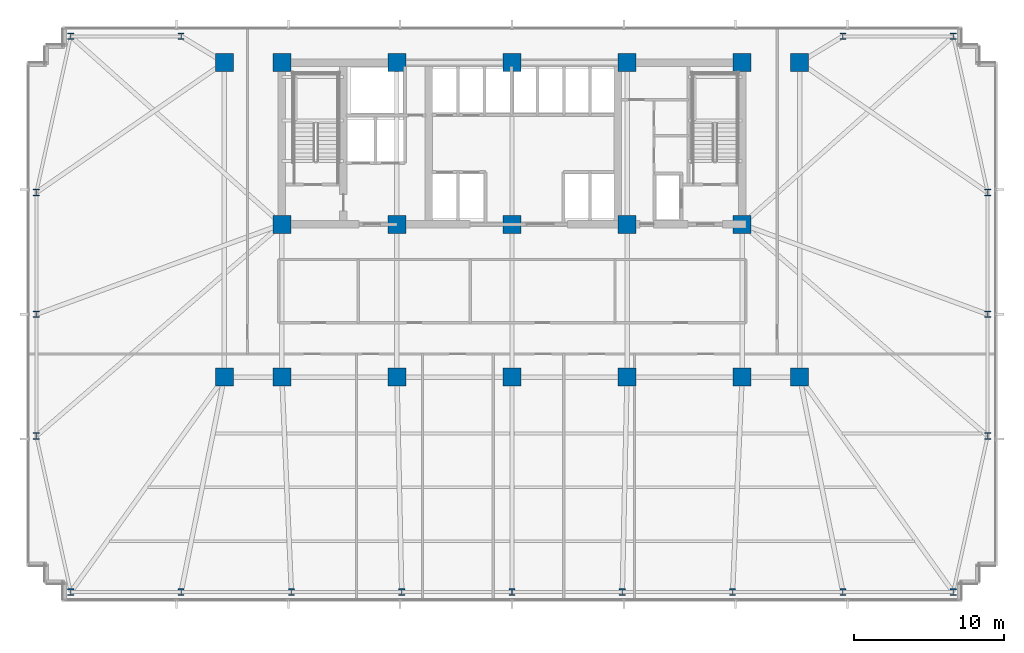
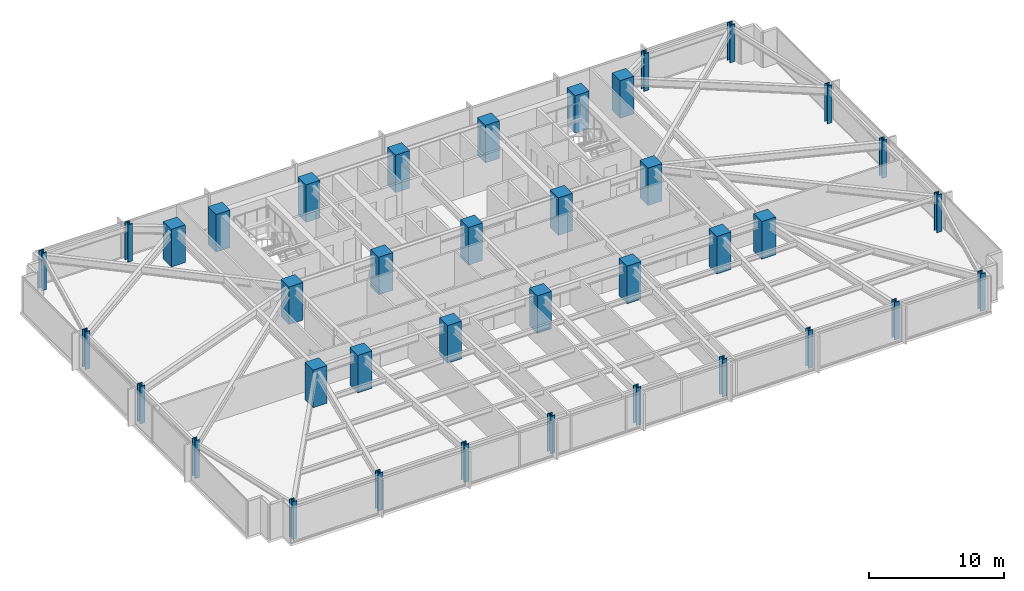
# One storey, part 1 of 32: 38 columns.
"""IFC4 building model written with IfcOpenShell, lengths in metres."""

import ifcopenshell
import ifcopenshell.guid

model = None  # the IFC model being written
_history = None  # IfcOwnerHistory: only IFC2X3 demands one
_inside = {}  # id of a spatial element -> (the spatial element, [elements in it])
_under = {}  # id of a project, library or spatial element -> (it, [spatial elements below it])
_declared = {}  # id of a project -> (the project, [libraries it declares])
_typed = {}  # id of a type object -> (the type object, [elements of that type])
_made_of = {}  # id of a material, layer set ... -> (it, [elements and type objects made of it])


def new_model(schema):
    """Start an empty IFC model of exactly this schema.

    Asked for "IFC4X3", IfcOpenShell would pick the latest addendum, in which some entities
    have other attributes; the version numbers below select the first issue.
    IFC2X3 requires an IfcOwnerHistory on every rooted entity: one is made here for all.
    """
    global model, _history
    if schema == "IFC4X3":
        model = ifcopenshell.file(schema_version=(4, 3, 0, 0))
    else:
        model = ifcopenshell.file(schema=schema)
    _inside.clear()
    _under.clear()
    _declared.clear()
    _typed.clear()
    _made_of.clear()
    _history = None
    if model.schema == "IFC2X3":
        org = make("IfcOrganization", Name="unknown")
        user = make(
            "IfcPersonAndOrganization",
            ThePerson=make("IfcPerson", FamilyName="unknown"),
            TheOrganization=org,
        )
        app = make(
            "IfcApplication",
            ApplicationDeveloper=org,
            Version="unknown",
            ApplicationFullName="unknown",
            ApplicationIdentifier="unknown",
        )
        _history = make(
            "IfcOwnerHistory",
            OwningUser=user,
            OwningApplication=app,
            ChangeAction="ADDED",
            CreationDate=0,
        )
    return model


def make(cls, **values):
    """One entity of the class cls with the attributes given. An attribute that is None is left unset."""
    return model.create_entity(
        cls, **{name: value for name, value in values.items() if value is not None}
    )


def rooted(cls, **values):
    """An entity with a GlobalId (a new one), such as an element, a storey or a relation."""
    return make(cls, GlobalId=ifcopenshell.guid.new(), OwnerHistory=_history, **values)


def si_unit(unit_type, name, prefix=None):
    """IfcSIUnit, for example si_unit("LENGTHUNIT", "METRE", prefix="MILLI")."""
    return make("IfcSIUnit", UnitType=unit_type, Prefix=prefix, Name=name)


def assignment(units):
    """IfcUnitAssignment: the units of a project."""
    return None if units is None else make("IfcUnitAssignment", Units=units)


def point(xyz):
    """IfcCartesianPoint."""
    return None if xyz is None else make("IfcCartesianPoint", Coordinates=xyz)


def direction(xyz):
    """IfcDirection."""
    return None if xyz is None else make("IfcDirection", DirectionRatios=xyz)


def frame(location, z_axis=None, x_axis=None):
    """IfcAxis2Placement3D, a coordinate frame: its origin and axes. An axis left out is left unset."""
    return make(
        "IfcAxis2Placement3D",
        Location=point(location),
        Axis=direction(z_axis),
        RefDirection=direction(x_axis),
    )


def frame_2d(location, x_axis=None):
    """IfcAxis2Placement2D, a coordinate frame in the plane: its origin and x axis."""
    return make(
        "IfcAxis2Placement2D", Location=point(location), RefDirection=direction(x_axis)
    )


def origin():
    """The frame at (0, 0, 0) with its axes left unset."""
    return frame((0.0, 0.0, 0.0))


def origin_2d():
    """The frame at (0, 0) in the plane with its x axis left unset."""
    return frame_2d((0.0, 0.0))


def place(relative_to, where):
    """IfcLocalPlacement: puts the frame where relative to a parent placement (None: the world)."""
    return make(
        "IfcLocalPlacement", PlacementRelTo=relative_to, RelativePlacement=where
    )


def context(
    kind, dimensions, precision=None, world=None, true_north=None, identifier=None
):
    """IfcGeometricRepresentationContext, for example the 3D "Model" context."""
    return make(
        "IfcGeometricRepresentationContext",
        ContextIdentifier=identifier,
        ContextType=kind,
        CoordinateSpaceDimension=dimensions,
        Precision=precision,
        WorldCoordinateSystem=world,
        TrueNorth=true_north,
    )


def subcontext(parent, identifier, kind, view, scale=None):
    """IfcGeometricRepresentationSubContext, for example "Body" below "Model"."""
    return make(
        "IfcGeometricRepresentationSubContext",
        ContextIdentifier=identifier,
        ContextType=kind,
        ParentContext=parent,
        TargetScale=scale,
        TargetView=view,
    )


def project(units=None, contexts=None):
    """IfcProject with its units and contexts."""
    return rooted(
        "IfcProject",
        Name="project",
        RepresentationContexts=contexts,
        UnitsInContext=assignment(units),
    )


def spatial(cls, under=None, at=None, **own):
    """A site, building, storey or space (cls), placed at a placement, below another one or the project."""
    s = rooted(cls, ObjectPlacement=at, **own)
    if under is not None:
        _under.setdefault(under.id(), (under, []))[1].append(s)
    return s


def profile(cls, at=None, kind="AREA", **sizes):
    """A parametric profile (cls). Its sizes go by their IFC names, for example OverallWidth=200.0."""
    return make(cls, ProfileType=kind, Position=at, **sizes)


def rectangle(**sizes):
    """IfcRectangleProfileDef."""
    return profile("IfcRectangleProfileDef", **sizes)


def i_section(**sizes):
    """IfcIShapeProfileDef."""
    return profile("IfcIShapeProfileDef", **sizes)


def extrude(swept, where, along, depth):
    """IfcExtrudedAreaSolid: the profile swept, set in the frame where, extruded along a direction by depth."""
    return make(
        "IfcExtrudedAreaSolid",
        SweptArea=swept,
        Position=where,
        ExtrudedDirection=direction(along),
        Depth=depth,
    )


def shape(context_of_items, identifier, shape_type, items):
    """IfcShapeRepresentation: the items that make up one representation, for example the "Body"."""
    return make(
        "IfcShapeRepresentation",
        ContextOfItems=context_of_items,
        RepresentationIdentifier=identifier,
        RepresentationType=shape_type,
        Items=items,
    )


def material(Name=None, Category=None):
    """IfcMaterial."""
    return make("IfcMaterial", Name=Name, Category=Category)


def material_profile(
    of_material, cross_section, Name=None, Category=None, Priority=None
):
    """IfcMaterialProfile: a cross section and its material."""
    return make(
        "IfcMaterialProfile",
        Name=Name,
        Material=of_material,
        Profile=cross_section,
        Priority=Priority,
        Category=Category,
    )


def profile_set(profiles, Name=None, composite=None):
    """IfcMaterialProfileSet."""
    return make(
        "IfcMaterialProfileSet",
        Name=Name,
        MaterialProfiles=profiles,
        CompositeProfile=composite,
    )


def made_of(thing, what):
    """Note that an element or type object is made of a material, layer set ...; save() writes the relation."""
    if what is not None:
        _made_of.setdefault(what.id(), (what, []))[1].append(thing)
    return thing


def type_object(cls, material=None, **own):
    """A type object (cls), such as IfcWallType, which elements share."""
    return made_of(rooted(cls, **own), material)


def element(
    cls,
    number,
    at=None,
    inside=None,
    cuts=None,
    type_object=None,
    material=None,
    context=None,
    identifier="Body",
    shape_type=None,
    held_by="IfcProductDefinitionShape",
    body=None,
    shapes=None,
    **own,
):
    """One element of the class cls, such as IfcWall. Its Tag is "e" and its number.

    at: its placement. inside: the storey or other place that contains it. cuts: it is an
    opening in that element (IfcRelVoidsElement). A single representation is given by context,
    identifier, shape_type and body (its items); several are given by shapes. held_by: the class
    of the entity that holds the representations. save() writes the other relations.
    """
    e = rooted(cls, Tag="e%d" % number, ObjectPlacement=at, **own)
    if body is not None:
        shapes = [shape(context, identifier, shape_type, body)]
    if shapes is not None:
        e.Representation = make(held_by, Representations=shapes)
    if inside is not None:
        _inside.setdefault(inside.id(), (inside, []))[1].append(e)
    if cuts is not None:
        rooted(
            "IfcRelVoidsElement", RelatingBuildingElement=cuts, RelatedOpeningElement=e
        )
    if type_object is not None:
        _typed.setdefault(type_object.id(), (type_object, []))[1].append(e)
    return made_of(e, material)


def aggregate(whole, parts):
    """IfcRelAggregates: a whole, such as a stair, and the parts it consists of."""
    return rooted("IfcRelAggregates", RelatingObject=whole, RelatedObjects=parts)


def save(model, path):
    """Write the relations noted so far, then the file.

    IfcRelAggregates (storeys below a building ...), IfcRelContainedInSpatialStructure (elements
    in a storey), IfcRelDefinesByType, IfcRelAssociatesMaterial and IfcRelDeclares: one each for
    every whole, place, type object, material and project.
    """
    for whole, parts in _under.values():
        aggregate(whole, parts)
    for where, things in _inside.values():
        rooted(
            "IfcRelContainedInSpatialStructure",
            RelatedElements=things,
            RelatingStructure=where,
        )
    for kind, things in _typed.values():
        rooted("IfcRelDefinesByType", RelatedObjects=things, RelatingType=kind)
    for what, things in _made_of.values():
        rooted("IfcRelAssociatesMaterial", RelatedObjects=things, RelatingMaterial=what)
    for by, libraries in _declared.values():
        rooted("IfcRelDeclares", RelatingContext=by, RelatedDefinitions=libraries)
    model.write(path)


model = new_model("IFC4")

# Units and contexts
model_context = context("Model", 3, precision=1e-05, world=origin(), true_north=direction((0.0, 1.0)))
body_context = subcontext(model_context, "Body", "Model", "MODEL_VIEW")
ifc_project = project(units=[si_unit("LENGTHUNIT", "METRE"), si_unit("AREAUNIT", "SQUARE_METRE"), si_unit("VOLUMEUNIT", "CUBIC_METRE"), si_unit("PLANEANGLEUNIT", "RADIAN"), si_unit("MASSUNIT", "GRAM", prefix="KILO")], contexts=[model_context])

# Site, building, storey
site_placement = place(None, origin())
site = spatial("IfcSite", under=ifc_project, at=site_placement, CompositionType="ELEMENT")
building_placement = place(site_placement, origin())
building = spatial("IfcBuilding", under=site, at=building_placement, Name="Yelkora Congress Tower", CompositionType="ELEMENT")
storey_placement = place(building_placement, frame((0.0, 0.0, 61.0)))
storey = spatial("IfcBuildingStorey", under=building, at=storey_placement, Name="L15", CompositionType="ELEMENT", Elevation=61.0)

# Columns
ifc_material_1 = material(Name="Steel S460M", Category="steel")
ifc_material_profile_1 = material_profile(ifc_material_1, i_section(OverallWidth=0.41796875, OverallDepth=0.455078125, WebThickness=0.0419921875, FlangeThickness=0.068115234375, FilletRadius=0.014892578125, at=origin_2d()), Name="HD 400x551")
ifc_profile_set_1 = profile_set([ifc_material_profile_1], Name="Steel S460M")
column_type_1 = type_object("IfcColumnType", Name="COL-HD-551-EXT", PredefinedType="COLUMN", material=ifc_profile_set_1)
for number, where, z_axis, x_axis, name in (
    (1, (8.949951171875, 10.85009765625, 0.0), (0.0, 0.0, 1.0), (1.0, 0.0, 0.0), "L15 Perimeter Column S01"),
    (2, (16.3125, 10.85009765625, 0.0), (0.0, 0.0, 1.0), (1.0, 0.0, 0.0), "L15 Perimeter Column S02"),
    (3, (23.675048828125, 10.85009765625, 0.0), (0.0, 0.0, 1.0), (1.0, 0.0, 0.0), "L15 Perimeter Column S03"),
    (4, (31.03759765625, 10.85009765625, 0.0), (0.0, 0.0, 1.0), (1.0, 0.0, 0.0), "L15 Perimeter Column S04"),
    (5, (38.39990234375, 10.85009765625, 0.0), (0.0, 0.0, 1.0), (1.0, 0.0, 0.0), "L15 Perimeter Column S05"),
    (6, (45.762451171875, 10.85009765625, 0.0), (0.0, 0.0, 1.0), (1.0, 0.0, 0.0), "L15 Perimeter Column S06"),
    (7, (53.125, 10.85009765625, 0.0), (0.0, 0.0, 1.0), (1.0, 0.0, 0.0), "L15 Perimeter Column S07"),
    (8, (60.487548828125, 10.85009765625, 0.0), (0.0, 0.0, 1.0), (1.0, 0.0, 0.0), "L15 Perimeter Column S08"),
    (9, (67.85009765625, 10.85009765625, 0.0), (0.0, 0.0, 1.0), (1.0, 0.0, 0.0), "L15 Perimeter Column S09"),
    (10, (8.949951171875, 47.949951171875, 0.0), (0.0, 0.0, 1.0), (1.0, 0.0, 0.0), "L15 Perimeter Column N01"),
    (11, (16.3125, 47.949951171875, 0.0), (0.0, 0.0, 1.0), (1.0, 0.0, 0.0), "L15 Perimeter Column N02"),
    (12, (60.487548828125, 47.949951171875, 0.0), (0.0, 0.0, 1.0), (1.0, 0.0, 0.0), "L15 Perimeter Column N08"),
    (13, (67.85009765625, 47.949951171875, 0.0), (0.0, 0.0, 1.0), (1.0, 0.0, 0.0), "L15 Perimeter Column N09"),
    (14, (6.64990234375, 21.27490234375, 0.0), (0.0, 0.0, 1.0), (1.0, 0.0, 0.0), "L15 Perimeter Column W01"),
    (15, (70.14990234375, 21.27490234375, 0.0), (0.0, 0.0, 1.0), (1.0, 0.0, 0.0), "L15 Perimeter Column E01"),
    (16, (6.64990234375, 29.39990234375, 0.0), (0.0, 0.0, 1.0), (1.0, 0.0, 0.0), "L15 Perimeter Column W02"),
    (17, (70.14990234375, 29.39990234375, 0.0), (0.0, 0.0, 1.0), (1.0, 0.0, 0.0), "L15 Perimeter Column E02"),
    (18, (6.64990234375, 37.52490234375, 0.0), (0.0, 0.0, 1.0), (1.0, 0.0, 0.0), "L15 Perimeter Column W03"),
    (19, (70.14990234375, 37.52490234375, 0.0), (0.0, 0.0, 1.0), (1.0, 0.0, 0.0), "L15 Perimeter Column E03"),
):
    element("IfcColumn", number, at=place(storey_placement, frame(where, z_axis=z_axis, x_axis=x_axis)), inside=storey, type_object=column_type_1, Name=name, PredefinedType="COLUMN", context=body_context, shape_type="SweptSolid", body=[
        extrude(i_section(OverallWidth=0.41796875, OverallDepth=0.455078125, WebThickness=0.0419921875, FlangeThickness=0.068115234375, FilletRadius=0.014892578125, at=origin_2d()), origin(), (0.0, 0.0, 1.0), 3.39990234375),
    ])
ifc_material_2 = material(Name="Concrete C60/75", Category="concrete")
ifc_material_profile_2 = material_profile(ifc_material_2, rectangle(XDim=1.199951171875, YDim=1.199951171875, at=origin_2d()), Name="RC 1200x1200")
ifc_profile_set_2 = profile_set([ifc_material_profile_2], Name="Concrete C60/75")
column_type_2 = type_object("IfcColumnType", Name="COL-RC-1200", PredefinedType="COLUMN", material=ifc_profile_set_2)
for number, where, z_axis, x_axis, name in (
    (20, (23.0400390625, 35.39990234375, 0.0), (0.0, 0.0, 1.0), (1.0, 0.0, 0.0), "L15 Mega Column MC-S1"),
    (21, (23.0400390625, 46.199951171875, 0.0), (0.0, 0.0, 1.0), (1.0, 0.0, 0.0), "L15 Mega Column MC-N1"),
    (22, (23.0400390625, 25.199951171875, 0.0), (0.0, 0.0, 1.0), (1.0, 0.0, 0.0), "L15 Mega Column MC-D1"),
    (23, (30.719970703125, 35.39990234375, 0.0), (0.0, 0.0, 1.0), (1.0, 0.0, 0.0), "L15 Mega Column MC-S2"),
    (24, (30.719970703125, 46.199951171875, 0.0), (0.0, 0.0, 1.0), (1.0, 0.0, 0.0), "L15 Mega Column MC-N2"),
    (25, (30.719970703125, 25.199951171875, 0.0), (0.0, 0.0, 1.0), (1.0, 0.0, 0.0), "L15 Mega Column MC-D2"),
    (26, (38.39990234375, 35.39990234375, 0.0), (0.0, 0.0, 1.0), (1.0, 0.0, 0.0), "L15 Mega Column MC-S3"),
    (27, (38.39990234375, 46.199951171875, 0.0), (0.0, 0.0, 1.0), (1.0, 0.0, 0.0), "L15 Mega Column MC-N3"),
    (28, (38.39990234375, 25.199951171875, 0.0), (0.0, 0.0, 1.0), (1.0, 0.0, 0.0), "L15 Mega Column MC-D3"),
    (29, (46.080078125, 35.39990234375, 0.0), (0.0, 0.0, 1.0), (1.0, 0.0, 0.0), "L15 Mega Column MC-S4"),
    (30, (46.080078125, 46.199951171875, 0.0), (0.0, 0.0, 1.0), (1.0, 0.0, 0.0), "L15 Mega Column MC-N4"),
    (31, (46.080078125, 25.199951171875, 0.0), (0.0, 0.0, 1.0), (1.0, 0.0, 0.0), "L15 Mega Column MC-D4"),
    (32, (53.760009765625, 35.39990234375, 0.0), (0.0, 0.0, 1.0), (1.0, 0.0, 0.0), "L15 Mega Column MC-S5"),
    (33, (53.760009765625, 46.199951171875, 0.0), (0.0, 0.0, 1.0), (1.0, 0.0, 0.0), "L15 Mega Column MC-N5"),
    (34, (53.760009765625, 25.199951171875, 0.0), (0.0, 0.0, 1.0), (1.0, 0.0, 0.0), "L15 Mega Column MC-D5"),
    (35, (19.199951171875, 25.199951171875, 0.0), (0.0, 0.0, 1.0), (1.0, 0.0, 0.0), "L15 Mega Column MC-F1"),
    (36, (57.60009765625, 25.199951171875, 0.0), (0.0, 0.0, 1.0), (1.0, 0.0, 0.0), "L15 Mega Column MC-F2"),
    (37, (19.199951171875, 46.199951171875, 0.0), (0.0, 0.0, 1.0), (1.0, 0.0, 0.0), "L15 Mega Column MC-F3"),
    (38, (57.60009765625, 46.199951171875, 0.0), (0.0, 0.0, 1.0), (1.0, 0.0, 0.0), "L15 Mega Column MC-F4"),
):
    element("IfcColumn", number, at=place(storey_placement, frame(where, z_axis=z_axis, x_axis=x_axis)), inside=storey, type_object=column_type_2, Name=name, PredefinedType="COLUMN", context=body_context, shape_type="SweptSolid", body=[
        extrude(rectangle(XDim=1.199951171875, YDim=1.199951171875, at=origin_2d()), origin(), (0.0, 0.0, 1.0), 3.39990234375),
    ])

save(model, "model.ifc")
